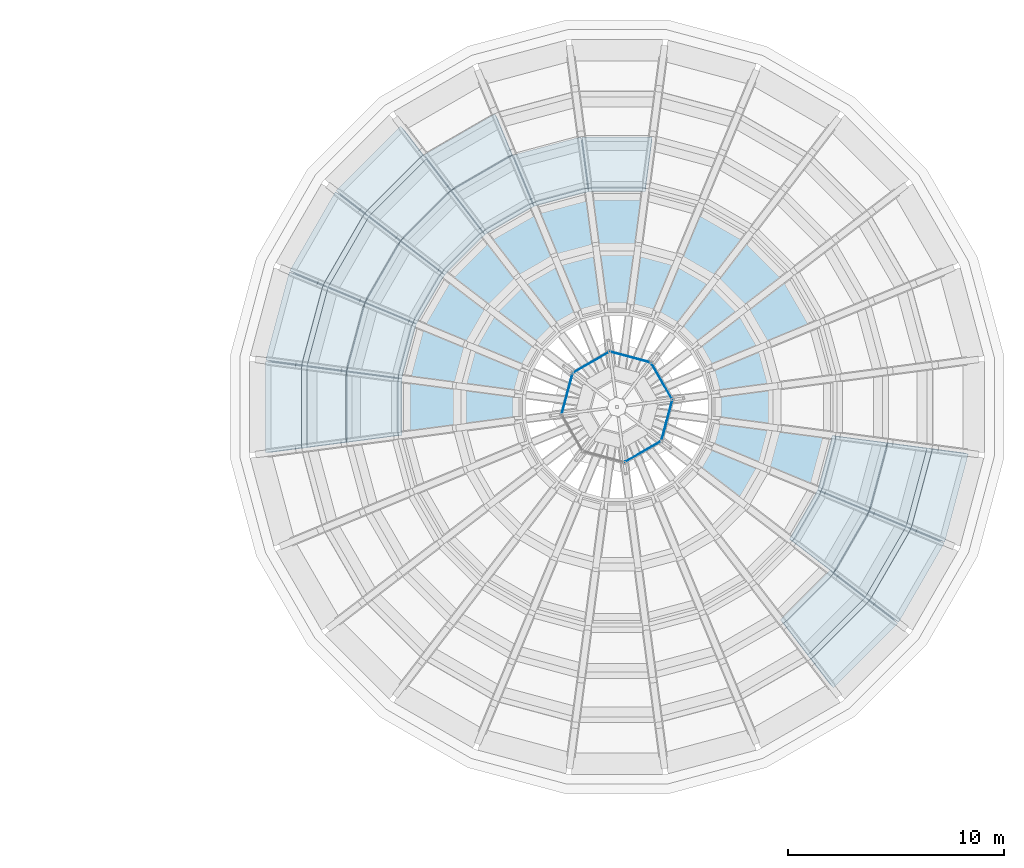
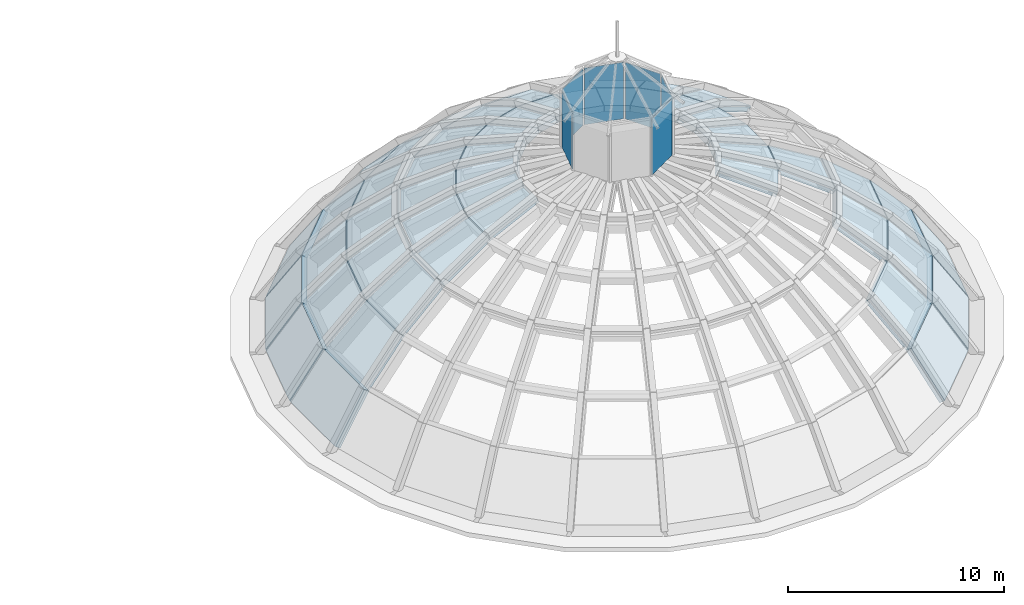
# One storey, part 19 of 29: 50 slabs, 6 plates.
"""IFC4 building model written with IfcOpenShell, lengths in metres."""

from ifc_helpers import new_model, si_unit, direction, frame, origin, place, context, subcontext, project, spatial, polyline, outline, extrude, material, layer, layer_set, type_object, element, save


model = new_model("IFC4")

# Units and contexts
model_context = context("Model", 3, precision=1e-05, world=origin(), true_north=direction((0.0, 1.0)))
body_context = subcontext(model_context, "Body", "Model", "MODEL_VIEW")
ifc_project = project(units=[si_unit("LENGTHUNIT", "METRE"), si_unit("AREAUNIT", "SQUARE_METRE"), si_unit("VOLUMEUNIT", "CUBIC_METRE"), si_unit("PLANEANGLEUNIT", "RADIAN"), si_unit("MASSUNIT", "GRAM", prefix="KILO")], contexts=[model_context])

# Site, building, storey
site_placement = place(None, origin())
site = spatial("IfcSite", under=ifc_project, at=site_placement, CompositionType="ELEMENT")
building_placement = place(site_placement, origin())
building = spatial("IfcBuilding", under=site, at=building_placement, Name="Golden Quay Civic Hall", CompositionType="ELEMENT")
storey_placement = place(building_placement, frame((0.0, 0.0, 27.0)))
storey = spatial("IfcBuildingStorey", under=building, at=storey_placement, Name="L06", CompositionType="ELEMENT", Elevation=27.0)

# Slabs
ifc_material_1 = material(Name="Concrete C40/50", Category="concrete")
ifc_layer_1 = layer(ifc_material_1, 0.300048828125)
ifc_layer_set_1 = layer_set([ifc_layer_1], Name="Dome shell D1 300")
slab_type = type_object("IfcSlabType", Name="Dome shell D1 300", PredefinedType="ROOF", material=ifc_layer_set_1)
slab_1_placement = place(storey_placement, frame((75.492919921875, 98.488037109375, 0.1455078125), z_axis=(-0.589854677519, 0.589854677519, 0.551491540114), x_axis=(-0.707106781187, -0.707106781187, 0.0)))
element("IfcSlab", 1, at=slab_1_placement, inside=storey, type_object=slab_type, Name="Dome shell panel 1.9", PredefinedType="ROOF", context=body_context, shape_type="SweptSolid", body=[
    extrude(outline(polyline([(0.0, 0.0), (4.2157098624451885, 0.0), (3.9964653282393985, 3.0194890363538103), (0.21924453420578993, 3.01948903635381), (0.0, 0.0)])), origin(), (0.0, 0.0, -1.0), 0.300048828125),
])
slab_2_placement = place(storey_placement, frame((72.47216796875, 95.455322265625, 0.1455078125), z_axis=(-0.722422993854, 0.417079452697, 0.551497731717), x_axis=(-0.499991140247, -0.8660305189, -2.831556e-06)))
element("IfcSlab", 2, at=slab_2_placement, inside=storey, type_object=slab_type, Name="Dome shell panel 1.10", PredefinedType="ROOF", context=body_context, shape_type="SweptSolid", body=[
    extrude(outline(polyline([(0.0, 0.0), (4.215375454801392, 0.0), (3.9962068648819216, 3.019517418251832), (0.21922728430698488, 3.019490288738637), (0.0, 0.0)])), origin(), (0.0, 0.0, -1.0), 0.300048828125),
])
slab_3_placement = place(storey_placement, frame((70.339599609375, 91.744384765625, 0.1455078125), z_axis=(-0.805748318643, 0.215904161913, 0.551502529344), x_axis=(-0.258824943154, -0.965924245891, -1.265612e-06)))
element("IfcSlab", 3, at=slab_3_placement, inside=storey, type_object=slab_type, Name="Dome shell panel 1.11", PredefinedType="ROOF", context=body_context, shape_type="SweptSolid", body=[
    extrude(outline(polyline([(0.0, 0.0), (4.215423155254426, 0.0), (3.996170708535344, 3.0195213977804), (0.21928079673481532, 3.0195092718009127), (0.0, 0.0)])), origin(), (0.0, 0.0, -1.0), 0.300048828125),
])
slab_4_placement = place(storey_placement, frame((69.239990234375, 87.607666015625, 0.1455078125), z_axis=(-0.83417126038, 0.0, 0.55150549259), x_axis=(0.0, -1.0, 0.0)))
element("IfcSlab", 4, at=slab_4_placement, inside=storey, type_object=slab_type, Name="Dome shell panel 1.12", PredefinedType="ROOF", context=body_context, shape_type="SweptSolid", body=[
    extrude(outline(polyline([(0.0, 0.0), (4.21533203125, 0.0), (3.99609375, 3.019522426340651), (0.21923828125, 3.019522426340651), (0.0, 0.0)])), origin(), (0.0, 0.0, -1.0), 0.300048828125),
])
slab_5_placement = place(storey_placement, frame((95.507080078125, 72.511962890625, 0.1455078125), z_axis=(0.589854677519, -0.589854677519, 0.551491540114), x_axis=(0.707106781187, 0.707106781187, 0.0)))
element("IfcSlab", 5, at=slab_5_placement, inside=storey, type_object=slab_type, Name="Dome shell panel 1.21", PredefinedType="ROOF", context=body_context, shape_type="SweptSolid", body=[
    extrude(outline(polyline([(0.0, 0.0), (4.2157098624451885, 0.0), (3.9964653282393985, 3.0194890363538103), (0.21924453420578993, 3.01948903635381), (0.0, 0.0)])), origin(), (0.0, 0.0, -1.0), 0.300048828125),
])
slab_6_placement = place(storey_placement, frame((98.52783203125, 75.544677734375, 0.1455078125), z_axis=(0.722422993854, -0.417079452697, 0.551497731717), x_axis=(0.499991140247, 0.8660305189, -2.831556e-06)))
element("IfcSlab", 6, at=slab_6_placement, inside=storey, type_object=slab_type, Name="Dome shell panel 1.22", PredefinedType="ROOF", context=body_context, shape_type="SweptSolid", body=[
    extrude(outline(polyline([(0.0, 0.0), (4.215375454801392, 0.0), (3.9962068648819216, 3.019517418251832), (0.21922728430698488, 3.019490288738637), (0.0, 0.0)])), origin(), (0.0, 0.0, -1.0), 0.300048828125),
])
slab_7_placement = place(storey_placement, frame((100.660400390625, 79.255615234375, 0.1455078125), z_axis=(0.805748318643, -0.215904161913, 0.551502529344), x_axis=(0.258824943154, 0.965924245891, -1.265612e-06)))
element("IfcSlab", 7, at=slab_7_placement, inside=storey, type_object=slab_type, Name="Dome shell panel 1.23", PredefinedType="ROOF", context=body_context, shape_type="SweptSolid", body=[
    extrude(outline(polyline([(0.0, 0.0), (4.215423155254426, 0.0), (3.996170708535344, 3.0195213977804), (0.21928079673481532, 3.0195092718009127), (0.0, 0.0)])), origin(), (0.0, 0.0, -1.0), 0.300048828125),
])
slab_8_placement = place(storey_placement, frame((79.85302734375, 99.0576171875, 2.70263671875), z_axis=(-0.366940814897, 0.635572942013, 0.679265392717), x_axis=(-0.866024673981, -0.500001263933, 1.1004147e-05)))
element("IfcSlab", 8, at=slab_8_placement, inside=storey, type_object=slab_type, Name="Dome shell panel 2.8", PredefinedType="ROOF", context=body_context, shape_type="SweptSolid", body=[
    extrude(outline(polyline([(0.0, 0.0), (3.7767681479122106, 2.220446049250313e-16), (3.50933340259419, 2.9906082160524408), (0.2674407897925698, 2.990713455378682), (0.0, 0.0)])), origin(), (0.0, 0.0, -1.0), 0.300048828125),
])
slab_9_placement = place(storey_placement, frame((76.53662109375, 97.13427734375, 2.70263671875), z_axis=(-0.518928907618, 0.518928907618, 0.679283135133), x_axis=(-0.707106781187, -0.707106781187, 0.0)))
element("IfcSlab", 9, at=slab_9_placement, inside=storey, type_object=slab_type, Name="Dome shell panel 2.9", PredefinedType="ROOF", context=body_context, shape_type="SweptSolid", body=[
    extrude(outline(polyline([(0.0, 0.0), (3.7772207940336084, 0.0), (3.5096388822076445, 2.9907277582864644), (0.267581911825964, 2.9907277582864644), (0.0, 0.0)])), origin(), (0.0, 0.0, -1.0), 0.300048828125),
])
slab_10_placement = place(storey_placement, frame((73.830810546875, 94.417724609375, 2.70263671875), z_axis=(-0.635572942013, 0.366940814897, 0.679265392717), x_axis=(-0.500001263933, -0.866024673981, -1.1004147e-05)))
element("IfcSlab", 10, at=slab_10_placement, inside=storey, type_object=slab_type, Name="Dome shell panel 2.10", PredefinedType="ROOF", context=body_context, shape_type="SweptSolid", body=[
    extrude(outline(polyline([(0.0, 0.0), (3.7767681479122106, -2.220446049250313e-16), (3.509327358119641, 2.9907134553786814), (0.2674347453180206, 2.9906082160524408), (0.0, 0.0)])), origin(), (0.0, 0.0, -1.0), 0.300048828125),
])
slab_11_placement = place(storey_placement, frame((71.92041015625, 91.09375, 2.70263671875), z_axis=(-0.708873973093, 0.189943508599, 0.679278406703), x_axis=(-0.258820915268, -0.965925325178, -2.43224e-07)))
element("IfcSlab", 11, at=slab_11_placement, inside=storey, type_object=slab_type, Name="Dome shell panel 2.11", PredefinedType="ROOF", context=body_context, shape_type="SweptSolid", body=[
    extrude(outline(polyline([(0.0, 0.0), (3.7768899118321406, 1.1102230246251565e-16), (3.5095566925617465, 2.9907110855875847), (0.2674933058841736, 2.9907087593540034), (0.0, 0.0)])), origin(), (0.0, 0.0, -1.0), 0.300048828125),
])
slab_12_placement = place(storey_placement, frame((70.935302734375, 87.388427734375, 2.70263671875), z_axis=(-0.733885764718, 0.0, 0.67927290859), x_axis=(0.0, -1.0, 0.0)))
element("IfcSlab", 12, at=slab_12_placement, inside=storey, type_object=slab_type, Name="Dome shell panel 2.12", PredefinedType="ROOF", context=body_context, shape_type="SweptSolid", body=[
    extrude(outline(polyline([(0.0, 0.0), (3.77685546875, 0.0), (3.509521484375, 2.990689183884754), (0.267333984375, 2.990689183884754), (0.0, 0.0)])), origin(), (0.0, 0.0, -1.0), 0.300048828125),
])
slab_13_placement = place(storey_placement, frame((94.46337890625, 73.86572265625, 2.70263671875), z_axis=(0.518928907618, -0.518928907618, 0.679283135133), x_axis=(0.707106781187, 0.707106781187, 0.0)))
element("IfcSlab", 13, at=slab_13_placement, inside=storey, type_object=slab_type, Name="Dome shell panel 2.21", PredefinedType="ROOF", context=body_context, shape_type="SweptSolid", body=[
    extrude(outline(polyline([(0.0, 0.0), (3.7772207940336084, 0.0), (3.5096388822076445, 2.9907277582864644), (0.267581911825964, 2.9907277582864644), (0.0, 0.0)])), origin(), (0.0, 0.0, -1.0), 0.300048828125),
])
slab_14_placement = place(storey_placement, frame((97.169189453125, 76.582275390625, 2.70263671875), z_axis=(0.635572942013, -0.366940814897, 0.679265392717), x_axis=(0.500001263933, 0.866024673981, -1.1004147e-05)))
element("IfcSlab", 14, at=slab_14_placement, inside=storey, type_object=slab_type, Name="Dome shell panel 2.22", PredefinedType="ROOF", context=body_context, shape_type="SweptSolid", body=[
    extrude(outline(polyline([(0.0, 0.0), (3.7767681479122106, -2.220446049250313e-16), (3.509327358119641, 2.9907134553786814), (0.2674347453180206, 2.9906082160524408), (0.0, 0.0)])), origin(), (0.0, 0.0, -1.0), 0.300048828125),
])
slab_15_placement = place(storey_placement, frame((99.07958984375, 79.90625, 2.70263671875), z_axis=(0.708873973093, -0.189943508599, 0.679278406703), x_axis=(0.258820915268, 0.965925325178, -2.43224e-07)))
element("IfcSlab", 15, at=slab_15_placement, inside=storey, type_object=slab_type, Name="Dome shell panel 2.23", PredefinedType="ROOF", context=body_context, shape_type="SweptSolid", body=[
    extrude(outline(polyline([(0.0, 0.0), (3.7768899118321406, 1.1102230246251565e-16), (3.5095566925617465, 2.9907110855875847), (0.2674933058841736, 2.9907087593540034), (0.0, 0.0)])), origin(), (0.0, 0.0, -1.0), 0.300048828125),
])
slab_16_placement = place(storey_placement, frame((87.12109375, 97.997314453125, 4.9306640625), z_axis=(0.0, 0.613929294465, 0.789361020952), x_axis=(-1.0, 0.0, 0.0)))
element("IfcSlab", 16, at=slab_16_placement, inside=storey, type_object=slab_type, Name="Dome shell panel 3.6", PredefinedType="ROOF", context=body_context, shape_type="SweptSolid", body=[
    extrude(outline(polyline([(0.0, 0.0), (3.2421875, 0.0), (2.931884765625, 2.9864939013038394), (0.310302734375, 2.9864939013038394), (0.0, 0.0)])), origin(), (0.0, 0.0, -1.0), 0.300048828125),
])
slab_17_placement = place(storey_placement, frame((83.831298828125, 97.990966796875, 4.9306640625), z_axis=(-0.158899543422, 0.593010232997, 0.789360373126), x_axis=(-0.965925192254, -0.258821411337, -1.680586e-06)))
element("IfcSlab", 17, at=slab_17_placement, inside=storey, type_object=slab_type, Name="Dome shell panel 3.7", PredefinedType="ROOF", context=body_context, shape_type="SweptSolid", body=[
    extrude(outline(polyline([(0.0, 0.0), (3.2420633866713415, 0.0), (2.9317262886442834, 2.9864978747920743), (0.3104189470987425, 2.986481824274189), (0.0, 0.0)])), origin(), (0.0, 0.0, -1.0), 0.300048828125),
])
slab_18_placement = place(storey_placement, frame((80.6552734375, 97.133544921875, 4.9306640625), z_axis=(-0.306953523563, 0.531698308636, 0.789351913259), x_axis=(-0.866033564045, -0.499985865601, 1.2142968e-05)))
element("IfcSlab", 18, at=slab_18_placement, inside=storey, type_object=slab_type, Name="Dome shell panel 3.8", PredefinedType="ROOF", context=body_context, shape_type="SweptSolid", body=[
    extrude(outline(polyline([(0.0, 0.0), (3.242226115153178, -2.220446049250313e-16), (2.931744911563131, 2.986378952568928), (0.3103654587807165, 2.9864949271855847), (0.0, 0.0)])), origin(), (0.0, 0.0, -1.0), 0.300048828125),
])
slab_19_placement = place(storey_placement, frame((77.809326171875, 95.483154296875, 4.9306640625), z_axis=(-0.434106558437, 0.434106558437, 0.789368729963), x_axis=(-0.707106781187, -0.707106781187, 0.0)))
element("IfcSlab", 19, at=slab_19_placement, inside=storey, type_object=slab_type, Name="Dome shell panel 3.9", PredefinedType="ROOF", context=body_context, shape_type="SweptSolid", body=[
    extrude(outline(polyline([(0.0, 0.0), (3.2420569703816806, 0.0), (2.9316619526635623, 2.9865421196039708), (0.3103950177181183, 2.9865421196039708), (0.0, 0.0)])), origin(), (0.0, 0.0, -1.0), 0.300048828125),
])
slab_20_placement = place(storey_placement, frame((75.487548828125, 93.152587890625, 4.9306640625), z_axis=(-0.531698308636, 0.306953523563, 0.789351913259), x_axis=(-0.499985865601, -0.866033564045, -1.2142968e-05)))
element("IfcSlab", 20, at=slab_20_placement, inside=storey, type_object=slab_type, Name="Dome shell panel 3.10", PredefinedType="ROOF", context=body_context, shape_type="SweptSolid", body=[
    extrude(outline(polyline([(0.0, 0.0), (3.242226115153178, 2.220446049250313e-16), (2.9318606563724616, 2.9864949271855847), (0.31048120359004744, 2.986378952568928), (0.0, 0.0)])), origin(), (0.0, 0.0, -1.0), 0.300048828125),
])
slab_21_placement = place(storey_placement, frame((73.84814453125, 90.30029296875, 4.9306640625), z_axis=(-0.593010232997, 0.158899543422, 0.789360373126), x_axis=(-0.258821411337, -0.965925192254, 1.680586e-06)))
element("IfcSlab", 21, at=slab_21_placement, inside=storey, type_object=slab_type, Name="Dome shell panel 3.11", PredefinedType="ROOF", context=body_context, shape_type="SweptSolid", body=[
    extrude(outline(polyline([(0.0, 0.0), (3.2420633866713415, 0.0), (2.9316444395725987, 2.986481824274189), (0.31033709802705844, 2.9864978747920743), (0.0, 0.0)])), origin(), (0.0, 0.0, -1.0), 0.300048828125),
])
slab_22_placement = place(storey_placement, frame((73.002685546875, 87.12109375, 4.9306640625), z_axis=(-0.613929294465, 0.0, 0.789361020952), x_axis=(0.0, -1.0, 0.0)))
element("IfcSlab", 22, at=slab_22_placement, inside=storey, type_object=slab_type, Name="Dome shell panel 3.12", PredefinedType="ROOF", context=body_context, shape_type="SweptSolid", body=[
    extrude(outline(polyline([(0.0, 0.0), (3.2421875, 0.0), (2.931884765625, 2.9864939013038394), (0.310302734375, 2.9864939013038394), (0.0, 0.0)])), origin(), (0.0, 0.0, -1.0), 0.300048828125),
])
slab_23_placement = place(storey_placement, frame((95.512451171875, 77.847412109375, 4.9306640625), z_axis=(0.531698308636, -0.306953523563, 0.789351913259), x_axis=(0.499985865601, 0.866033564045, -1.2142968e-05)))
element("IfcSlab", 23, at=slab_23_placement, inside=storey, type_object=slab_type, Name="Dome shell panel 3.22", PredefinedType="ROOF", context=body_context, shape_type="SweptSolid", body=[
    extrude(outline(polyline([(0.0, 0.0), (3.242226115153178, 2.220446049250313e-16), (2.9318606563724616, 2.9864949271855847), (0.31048120359004744, 2.986378952568928), (0.0, 0.0)])), origin(), (0.0, 0.0, -1.0), 0.300048828125),
])
slab_24_placement = place(storey_placement, frame((97.15185546875, 80.69970703125, 4.9306640625), z_axis=(0.593010232997, -0.158899543422, 0.789360373126), x_axis=(0.258821411337, 0.965925192254, 1.680586e-06)))
element("IfcSlab", 24, at=slab_24_placement, inside=storey, type_object=slab_type, Name="Dome shell panel 3.23", PredefinedType="ROOF", context=body_context, shape_type="SweptSolid", body=[
    extrude(outline(polyline([(0.0, 0.0), (3.2420633866713415, 0.0), (2.9316444395725987, 2.986481824274189), (0.31033709802705844, 2.9864978747920743), (0.0, 0.0)])), origin(), (0.0, 0.0, -1.0), 0.300048828125),
])
slab_25_placement = place(storey_placement, frame((94.9013671875, 89.414306640625, 6.791015625), z_axis=(0.413310777413, 0.23861979496, 0.878768908603), x_axis=(-0.500009963405, 0.866019651257, 1.1464988e-05)))
element("IfcSlab", 25, at=slab_25_placement, inside=storey, type_object=slab_type, Name="Dome shell panel 4.2", PredefinedType="ROOF", context=body_context, shape_type="SweptSolid", body=[
    extrude(outline(polyline([(0.0, 0.0), (2.621501521134179, -2.220446049250313e-16), (2.2765837733553913, 2.9823386240746785), (0.34527517080842046, 2.9824479969088227), (0.0, 0.0)])), origin(), (0.0, 0.0, -1.0), 0.300048828125),
])
slab_26_placement = place(storey_placement, frame((93.56787109375, 91.714111328125, 6.791015625), z_axis=(0.337473465222, 0.337473465222, 0.878762380022), x_axis=(-0.707106781187, 0.707106781187, 0.0)))
element("IfcSlab", 26, at=slab_26_placement, inside=storey, type_object=slab_type, Name="Dome shell panel 4.3", PredefinedType="ROOF", context=body_context, shape_type="SweptSolid", body=[
    extrude(outline(polyline([(0.0, 0.0), (2.6216122019284454, 0.0), (2.2765178524187015, 2.982318194372735), (0.3450943495097434, 2.982318194372735), (0.0, 0.0)])), origin(), (0.0, 0.0, -1.0), 0.300048828125),
])
slab_27_placement = place(storey_placement, frame((91.6845703125, 93.590576171875, 6.791015625), z_axis=(0.23861979496, 0.413310777413, 0.878768908603), x_axis=(-0.866019651257, 0.500009963405, -1.1464988e-05)))
element("IfcSlab", 27, at=slab_27_placement, inside=storey, type_object=slab_type, Name="Dome shell panel 4.4", PredefinedType="ROOF", context=body_context, shape_type="SweptSolid", body=[
    extrude(outline(polyline([(0.0, 0.0), (2.621501521134179, 2.220446049250313e-16), (2.2762263503257585, 2.9824479969088227), (0.34491774777878764, 2.9823386240746785), (0.0, 0.0)])), origin(), (0.0, 0.0, -1.0), 0.300048828125),
])
slab_28_placement = place(storey_placement, frame((86.810791015625, 95.598876953125, 6.791015625), z_axis=(0.0, 0.47727974156, 0.878751414392), x_axis=(-1.0, 0.0, 0.0)))
element("IfcSlab", 28, at=slab_28_placement, inside=storey, type_object=slab_type, Name="Dome shell panel 4.6", PredefinedType="ROOF", context=body_context, shape_type="SweptSolid", body=[
    extrude(outline(polyline([(0.0, 0.0), (2.62158203125, 0.0), (2.276611328125, 2.9821920350052373), (0.344970703125, 2.9821920350052373), (0.0, 0.0)])), origin(), (0.0, 0.0, -1.0), 0.300048828125),
])
slab_29_placement = place(storey_placement, frame((84.152099609375, 95.593994140625, 6.791015625), z_axis=(-0.123541693642, 0.460997096722, 0.878759993824), x_axis=(-0.965921912361, -0.258833651384, -1.1456094e-05)))
element("IfcSlab", 29, at=slab_29_placement, inside=storey, type_object=slab_type, Name="Dome shell panel 4.7", PredefinedType="ROOF", context=body_context, shape_type="SweptSolid", body=[
    extrude(outline(polyline([(0.0, 0.0), (2.6213073413810166, 1.1102230246251565e-16), (2.276157395321928, 2.9823453767367107), (0.3448339943482454, 2.982236096818636), (0.0, 0.0)])), origin(), (0.0, 0.0, -1.0), 0.300048828125),
])
slab_30_placement = place(storey_placement, frame((81.585693359375, 94.9013671875, 6.791015625), z_axis=(-0.23861979496, 0.413310777413, 0.878768908603), x_axis=(-0.866019651257, -0.500009963405, 1.1464988e-05)))
element("IfcSlab", 30, at=slab_30_placement, inside=storey, type_object=slab_type, Name="Dome shell panel 4.8", PredefinedType="ROOF", context=body_context, shape_type="SweptSolid", body=[
    extrude(outline(polyline([(0.0, 0.0), (2.621501521134179, -2.220446049250313e-16), (2.2765837733553913, 2.9823386240746785), (0.34527517080842046, 2.9824479969088227), (0.0, 0.0)])), origin(), (0.0, 0.0, -1.0), 0.300048828125),
])
slab_31_placement = place(storey_placement, frame((79.285888671875, 93.56787109375, 6.791015625), z_axis=(-0.337473465222, 0.337473465222, 0.878762380022), x_axis=(-0.707106781187, -0.707106781187, 0.0)))
element("IfcSlab", 31, at=slab_31_placement, inside=storey, type_object=slab_type, Name="Dome shell panel 4.9", PredefinedType="ROOF", context=body_context, shape_type="SweptSolid", body=[
    extrude(outline(polyline([(0.0, 0.0), (2.6216122019284454, 0.0), (2.2765178524187015, 2.982318194372735), (0.3450943495097434, 2.982318194372735), (0.0, 0.0)])), origin(), (0.0, 0.0, -1.0), 0.300048828125),
])
slab_32_placement = place(storey_placement, frame((77.409423828125, 91.6845703125, 6.791015625), z_axis=(-0.413310777413, 0.23861979496, 0.878768908603), x_axis=(-0.500009963405, -0.866019651257, -1.1464988e-05)))
element("IfcSlab", 32, at=slab_32_placement, inside=storey, type_object=slab_type, Name="Dome shell panel 4.10", PredefinedType="ROOF", context=body_context, shape_type="SweptSolid", body=[
    extrude(outline(polyline([(0.0, 0.0), (2.621501521134179, 2.220446049250313e-16), (2.2762263503257585, 2.9824479969088227), (0.34491774777878764, 2.9823386240746785), (0.0, 0.0)])), origin(), (0.0, 0.0, -1.0), 0.300048828125),
])
slab_33_placement = place(storey_placement, frame((76.08447265625, 89.3798828125, 6.791015625), z_axis=(-0.460997096722, 0.123541693642, 0.878759993824), x_axis=(-0.258833651384, -0.965921912361, 1.1456094e-05)))
element("IfcSlab", 33, at=slab_33_placement, inside=storey, type_object=slab_type, Name="Dome shell panel 4.11", PredefinedType="ROOF", context=body_context, shape_type="SweptSolid", body=[
    extrude(outline(polyline([(0.0, 0.0), (2.6213073413810166, -1.1102230246251565e-16), (2.276473347032771, 2.9822360968186357), (0.3451499460590882, 2.9823453767367107), (0.0, 0.0)])), origin(), (0.0, 0.0, -1.0), 0.300048828125),
])
slab_34_placement = place(storey_placement, frame((75.401123046875, 86.810791015625, 6.791015625), z_axis=(-0.47727974156, 0.0, 0.878751414392), x_axis=(0.0, -1.0, 0.0)))
element("IfcSlab", 34, at=slab_34_placement, inside=storey, type_object=slab_type, Name="Dome shell panel 4.12", PredefinedType="ROOF", context=body_context, shape_type="SweptSolid", body=[
    extrude(outline(polyline([(0.0, 0.0), (2.62158203125, 0.0), (2.276611328125, 2.9821920350052373), (0.344970703125, 2.9821920350052373), (0.0, 0.0)])), origin(), (0.0, 0.0, -1.0), 0.300048828125),
])
slab_35_placement = place(storey_placement, frame((94.91552734375, 81.6201171875, 6.791015625), z_axis=(0.460997096722, -0.123541693642, 0.878759993824), x_axis=(0.258833651384, 0.965921912361, 1.1456094e-05)))
element("IfcSlab", 35, at=slab_35_placement, inside=storey, type_object=slab_type, Name="Dome shell panel 4.23", PredefinedType="ROOF", context=body_context, shape_type="SweptSolid", body=[
    extrude(outline(polyline([(0.0, 0.0), (2.6213073413810166, -1.1102230246251565e-16), (2.276473347032771, 2.9822360968186357), (0.3451499460590882, 2.9823453767367107), (0.0, 0.0)])), origin(), (0.0, 0.0, -1.0), 0.300048828125),
])
slab_36_placement = place(storey_placement, frame((92.929931640625, 86.4912109375, 8.234375), z_axis=(0.316376557334, 0.084794040872, 0.944836411556), x_axis=(-0.258888719559, 0.965907154376, 3.335074e-06)))
element("IfcSlab", 36, at=slab_36_placement, inside=storey, type_object=slab_type, Name="Dome shell panel 5.1", PredefinedType="ROOF", context=body_context, shape_type="SweptSolid", body=[
    extrude(outline(polyline([(0.0, 0.0), (1.9313234043556713, -1.1102230246251565e-16), (1.5610174708265812, 2.979230394503261), (0.37078935704772825, 2.9792621784789666), (0.0, 0.0)])), origin(), (0.0, 0.0, -1.0), 0.300048828125),
])
slab_37_placement = place(storey_placement, frame((92.420166015625, 88.38037109375, 8.234375), z_axis=(0.283678291062, 0.163756130811, 0.94483361329), x_axis=(-0.4999575946, 0.866049885145, 6.496127e-06)))
element("IfcSlab", 37, at=slab_37_placement, inside=storey, type_object=slab_type, Name="Dome shell panel 5.2", PredefinedType="ROOF", context=body_context, shape_type="SweptSolid", body=[
    extrude(outline(polyline([(0.0, 0.0), (1.9313086059011373, 0.0), (1.5606708119217456, 2.9791419199434688), (0.37051962219465046, 2.97920382608807), (0.0, 0.0)])), origin(), (0.0, 0.0, -1.0), 0.300048828125),
])
slab_38_placement = place(storey_placement, frame((91.43896484375, 90.0732421875, 8.234375), z_axis=(0.231615769224, 0.231615769224, 0.944832403601), x_axis=(-0.707106781187, 0.707106781187, 0.0)))
element("IfcSlab", 38, at=slab_38_placement, inside=storey, type_object=slab_type, Name="Dome shell panel 5.3", PredefinedType="ROOF", context=body_context, shape_type="SweptSolid", body=[
    extrude(outline(polyline([(0.0, 0.0), (1.9314235029089586, 0.0), (1.5607793966571228, 2.9791411346506336), (0.3706441062518353, 2.979141134650634), (0.0, 0.0)])), origin(), (0.0, 0.0, -1.0), 0.300048828125),
])
slab_39_placement = place(storey_placement, frame((90.052978515625, 91.45458984375, 8.234375), z_axis=(0.163756130811, 0.283678291062, 0.94483361329), x_axis=(-0.866049885145, 0.4999575946, -6.496127e-06)))
element("IfcSlab", 39, at=slab_39_placement, inside=storey, type_object=slab_type, Name="Dome shell panel 5.4", PredefinedType="ROOF", context=body_context, shape_type="SweptSolid", body=[
    extrude(outline(polyline([(0.0, 0.0), (1.9313086059011373, 0.0), (1.5607889837064866, 2.9792038260880704), (0.3706377939793915, 2.9791419199434688), (0.0, 0.0)])), origin(), (0.0, 0.0, -1.0), 0.300048828125),
])
slab_40_placement = place(storey_placement, frame((88.356689453125, 92.429931640625, 8.234375), z_axis=(0.084794040872, 0.316376557334, 0.944836411556), x_axis=(-0.965907154376, 0.258888719559, -3.335074e-06)))
element("IfcSlab", 40, at=slab_40_placement, inside=storey, type_object=slab_type, Name="Dome shell panel 5.5", PredefinedType="ROOF", context=body_context, shape_type="SweptSolid", body=[
    extrude(outline(polyline([(0.0, 0.0), (1.9313234043556713, 1.1102230246251565e-16), (1.5605340473079432, 2.9792621784789666), (0.37030593352908986, 2.9792303945032614), (0.0, 0.0)])), origin(), (0.0, 0.0, -1.0), 0.300048828125),
])
slab_41_placement = place(storey_placement, frame((86.4658203125, 92.93310546875, 8.234375), z_axis=(0.0, 0.327563700248, 0.944829096863), x_axis=(-1.0, 0.0, 0.0)))
element("IfcSlab", 41, at=slab_41_placement, inside=storey, type_object=slab_type, Name="Dome shell panel 5.6", PredefinedType="ROOF", context=body_context, shape_type="SweptSolid", body=[
    extrude(outline(polyline([(0.0, 0.0), (1.931640625, 0.0), (1.56103515625, 2.979054386628464), (0.37060546875, 2.979054386628464), (0.0, 0.0)])), origin(), (0.0, 0.0, -1.0), 0.300048828125),
])
slab_42_placement = place(storey_placement, frame((84.5087890625, 92.929931640625, 8.234375), z_axis=(-0.084794040872, 0.316376557334, 0.944836411556), x_axis=(-0.965907154376, -0.258888719559, 3.335074e-06)))
element("IfcSlab", 42, at=slab_42_placement, inside=storey, type_object=slab_type, Name="Dome shell panel 5.7", PredefinedType="ROOF", context=body_context, shape_type="SweptSolid", body=[
    extrude(outline(polyline([(0.0, 0.0), (1.9313234043556713, -1.1102230246251565e-16), (1.5610174708265812, 2.979230394503261), (0.37078935704772825, 2.9792621784789666), (0.0, 0.0)])), origin(), (0.0, 0.0, -1.0), 0.300048828125),
])
slab_43_placement = place(storey_placement, frame((82.61962890625, 92.420166015625, 8.234375), z_axis=(-0.163756130811, 0.283678291062, 0.94483361329), x_axis=(-0.866049885145, -0.4999575946, 6.496127e-06)))
element("IfcSlab", 43, at=slab_43_placement, inside=storey, type_object=slab_type, Name="Dome shell panel 5.8", PredefinedType="ROOF", context=body_context, shape_type="SweptSolid", body=[
    extrude(outline(polyline([(0.0, 0.0), (1.9313086059011373, 0.0), (1.5606708119217456, 2.9791419199434688), (0.37051962219465046, 2.97920382608807), (0.0, 0.0)])), origin(), (0.0, 0.0, -1.0), 0.300048828125),
])
slab_44_placement = place(storey_placement, frame((80.9267578125, 91.43896484375, 8.234375), z_axis=(-0.231615769224, 0.231615769224, 0.944832403601), x_axis=(-0.707106781187, -0.707106781187, 0.0)))
element("IfcSlab", 44, at=slab_44_placement, inside=storey, type_object=slab_type, Name="Dome shell panel 5.9", PredefinedType="ROOF", context=body_context, shape_type="SweptSolid", body=[
    extrude(outline(polyline([(0.0, 0.0), (1.9314235029089586, 0.0), (1.5607793966571228, 2.9791411346506336), (0.3706441062518353, 2.979141134650634), (0.0, 0.0)])), origin(), (0.0, 0.0, -1.0), 0.300048828125),
])
slab_45_placement = place(storey_placement, frame((79.54541015625, 90.052978515625, 8.234375), z_axis=(-0.283678291062, 0.163756130811, 0.94483361329), x_axis=(-0.4999575946, -0.866049885145, -6.496127e-06)))
element("IfcSlab", 45, at=slab_45_placement, inside=storey, type_object=slab_type, Name="Dome shell panel 5.10", PredefinedType="ROOF", context=body_context, shape_type="SweptSolid", body=[
    extrude(outline(polyline([(0.0, 0.0), (1.9313086059011373, 0.0), (1.5607889837064866, 2.9792038260880704), (0.3706377939793915, 2.9791419199434688), (0.0, 0.0)])), origin(), (0.0, 0.0, -1.0), 0.300048828125),
])
slab_46_placement = place(storey_placement, frame((78.570068359375, 88.356689453125, 8.234375), z_axis=(-0.316376557334, 0.084794040872, 0.944836411556), x_axis=(-0.258888719559, -0.965907154376, -3.335074e-06)))
element("IfcSlab", 46, at=slab_46_placement, inside=storey, type_object=slab_type, Name="Dome shell panel 5.11", PredefinedType="ROOF", context=body_context, shape_type="SweptSolid", body=[
    extrude(outline(polyline([(0.0, 0.0), (1.9313234043556713, 1.1102230246251565e-16), (1.5605340473079432, 2.9792621784789666), (0.37030593352908986, 2.9792303945032614), (0.0, 0.0)])), origin(), (0.0, 0.0, -1.0), 0.300048828125),
])
slab_47_placement = place(storey_placement, frame((78.06689453125, 86.4658203125, 8.234375), z_axis=(-0.327563700248, 0.0, 0.944829096863), x_axis=(0.0, -1.0, 0.0)))
element("IfcSlab", 47, at=slab_47_placement, inside=storey, type_object=slab_type, Name="Dome shell panel 5.12", PredefinedType="ROOF", context=body_context, shape_type="SweptSolid", body=[
    extrude(outline(polyline([(0.0, 0.0), (1.931640625, 0.0), (1.56103515625, 2.979054386628464), (0.37060546875, 2.979054386628464), (0.0, 0.0)])), origin(), (0.0, 0.0, -1.0), 0.300048828125),
])
slab_48_placement = place(storey_placement, frame((91.45458984375, 80.947021484375, 8.234375), z_axis=(0.283678291062, -0.163756130811, 0.94483361329), x_axis=(0.4999575946, 0.866049885145, -6.496127e-06)))
element("IfcSlab", 48, at=slab_48_placement, inside=storey, type_object=slab_type, Name="Dome shell panel 5.22", PredefinedType="ROOF", context=body_context, shape_type="SweptSolid", body=[
    extrude(outline(polyline([(0.0, 0.0), (1.9313086059011373, 0.0), (1.5607889837064866, 2.9792038260880704), (0.3706377939793915, 2.9791419199434688), (0.0, 0.0)])), origin(), (0.0, 0.0, -1.0), 0.300048828125),
])
slab_49_placement = place(storey_placement, frame((92.429931640625, 82.643310546875, 8.234375), z_axis=(0.316376557334, -0.084794040872, 0.944836411556), x_axis=(0.258888719559, 0.965907154376, -3.335074e-06)))
element("IfcSlab", 49, at=slab_49_placement, inside=storey, type_object=slab_type, Name="Dome shell panel 5.23", PredefinedType="ROOF", context=body_context, shape_type="SweptSolid", body=[
    extrude(outline(polyline([(0.0, 0.0), (1.9313234043556713, 1.1102230246251565e-16), (1.5605340473079432, 2.9792621784789666), (0.37030593352908986, 2.9792303945032614), (0.0, 0.0)])), origin(), (0.0, 0.0, -1.0), 0.300048828125),
])
slab_50_placement = place(storey_placement, frame((92.93310546875, 84.5341796875, 8.234375), z_axis=(0.327563700248, 0.0, 0.944829096863), x_axis=(0.0, 1.0, 0.0)))
element("IfcSlab", 50, at=slab_50_placement, inside=storey, type_object=slab_type, Name="Dome shell panel 5.24", PredefinedType="ROOF", context=body_context, shape_type="SweptSolid", body=[
    extrude(outline(polyline([(0.0, 0.0), (1.931640625, 0.0), (1.56103515625, 2.979054386628464), (0.37060546875, 2.979054386628464), (0.0, 0.0)])), origin(), (0.0, 0.0, -1.0), 0.300048828125),
])

# Plates
ifc_material_2 = material(Name="Laminated glass", Category="glass")
ifc_layer_2 = layer(ifc_material_2, 0.030029296875)
ifc_layer_set_2 = layer_set([ifc_layer_2], Name="Laminated roof glazing 30")
plate_type = type_object("IfcPlateType", Name="Laminated roof glazing 30", PredefinedType="SHEET", material=ifc_layer_set_2)
plate_1_placement = place(storey_placement, frame((88.0478515625, 85.891357421875, 9.917724609375), z_axis=(0.866000772924, 0.500042659475, 0.0), x_axis=(-0.500042659475, 0.866000772924, 0.0)))
element("IfcPlate", 51, at=plate_1_placement, inside=storey, type_object=plate_type, Name="Lantern glazing 1", PredefinedType="SHEET", context=body_context, shape_type="SweptSolid", body=[
    extrude(outline(polyline([(0.0, 0.0), (1.8699576446764947, 0.0), (1.8699576446764947, 3.2001953125), (0.0, 3.2001953125), (0.0, 0.0)])), origin(), (0.0, 0.0, -1.0), 0.030029296875),
])
plate_2_placement = place(storey_placement, frame((87.02490234375, 87.578125, 9.917724609375), z_axis=(0.258873115347, 0.965911336589, 0.0), x_axis=(-0.965911336589, 0.258873115347, 0.0)))
element("IfcPlate", 52, at=plate_2_placement, inside=storey, type_object=plate_type, Name="Lantern glazing 2", PredefinedType="SHEET", context=body_context, shape_type="SweptSolid", body=[
    extrude(outline(polyline([(0.0, 0.0), (1.8701473064337835, 0.0), (1.8701473064337835, 3.2001953125), (0.0, 3.2001953125), (0.0, 0.0)])), origin(), (0.0, 0.0, -1.0), 0.030029296875),
])
plate_3_placement = place(storey_placement, frame((85.108642578125, 88.0478515625, 9.917724609375), z_axis=(-0.500042659475, 0.866000772924, 0.0), x_axis=(-0.866000772924, -0.500042659475, 0.0)))
element("IfcPlate", 53, at=plate_3_placement, inside=storey, type_object=plate_type, Name="Lantern glazing 3", PredefinedType="SHEET", context=body_context, shape_type="SweptSolid", body=[
    extrude(outline(polyline([(0.0, 0.0), (1.8699576446764947, 0.0), (1.8699576446764947, 3.2001953125), (0.0, 3.2001953125), (0.0, 0.0)])), origin(), (0.0, 0.0, -1.0), 0.030029296875),
])
plate_4_placement = place(storey_placement, frame((83.421875, 87.02490234375, 9.917724609375), z_axis=(-0.965911336589, 0.258873115347, 0.0), x_axis=(-0.258873115347, -0.965911336589, 0.0)))
element("IfcPlate", 54, at=plate_4_placement, inside=storey, type_object=plate_type, Name="Lantern glazing 4", PredefinedType="SHEET", context=body_context, shape_type="SweptSolid", body=[
    extrude(outline(polyline([(0.0, 0.0), (1.8701473064337835, 0.0), (1.8701473064337835, 3.2001953125), (0.0, 3.2001953125), (0.0, 0.0)])), origin(), (0.0, 0.0, -1.0), 0.030029296875),
])
plate_5_placement = place(storey_placement, frame((85.891357421875, 82.9521484375, 9.917724609375), z_axis=(0.500042659475, -0.866000772924, 0.0), x_axis=(0.866000772924, 0.500042659475, 0.0)))
element("IfcPlate", 55, at=plate_5_placement, inside=storey, type_object=plate_type, Name="Lantern glazing 7", PredefinedType="SHEET", context=body_context, shape_type="SweptSolid", body=[
    extrude(outline(polyline([(0.0, 0.0), (1.8699576446764947, 0.0), (1.8699576446764947, 3.2001953125), (0.0, 3.2001953125), (0.0, 0.0)])), origin(), (0.0, 0.0, -1.0), 0.030029296875),
])
plate_6_placement = place(storey_placement, frame((87.578125, 83.97509765625, 9.917724609375), z_axis=(0.965911336589, -0.258873115347, 0.0), x_axis=(0.258873115347, 0.965911336589, 0.0)))
element("IfcPlate", 56, at=plate_6_placement, inside=storey, type_object=plate_type, Name="Lantern glazing 8", PredefinedType="SHEET", context=body_context, shape_type="SweptSolid", body=[
    extrude(outline(polyline([(0.0, 0.0), (1.8701473064337835, 0.0), (1.8701473064337835, 3.2001953125), (0.0, 3.2001953125), (0.0, 0.0)])), origin(), (0.0, 0.0, -1.0), 0.030029296875),
])

save(model, "model.ifc")
